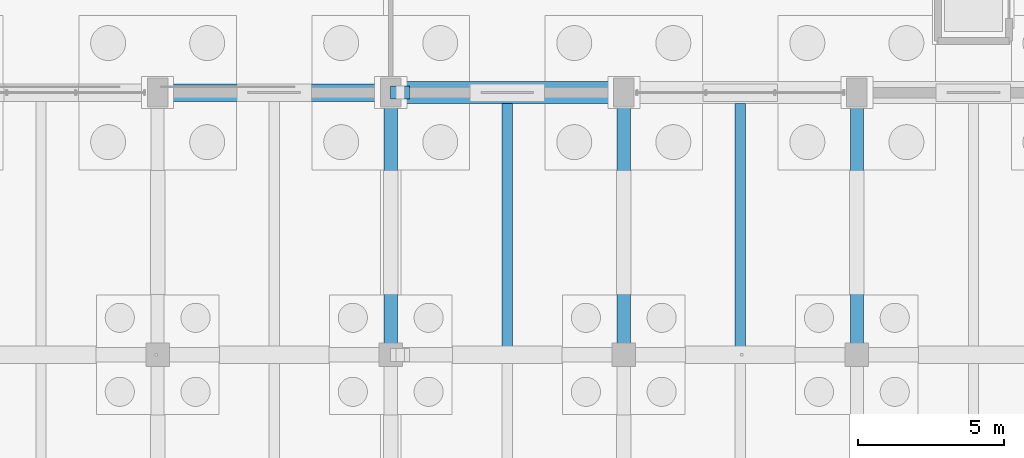
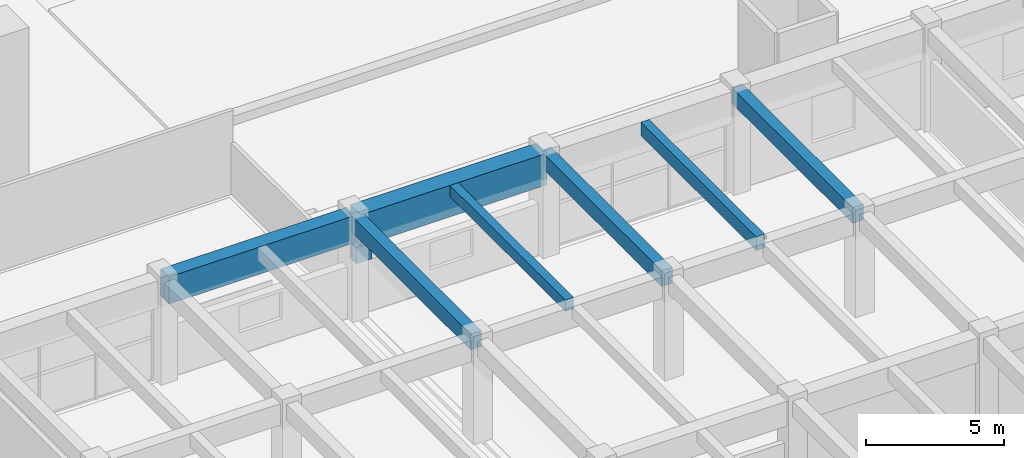
# One storey, part 39 of 147: 8 beams.
"""IFC4 building model written with IfcOpenShell, lengths in metres."""

import ifcopenshell
import ifcopenshell.guid

model = None  # the IFC model being written
_history = None  # IfcOwnerHistory: only IFC2X3 demands one
_inside = {}  # id of a spatial element -> (the spatial element, [elements in it])
_under = {}  # id of a project, library or spatial element -> (it, [spatial elements below it])
_declared = {}  # id of a project -> (the project, [libraries it declares])
_typed = {}  # id of a type object -> (the type object, [elements of that type])
_made_of = {}  # id of a material, layer set ... -> (it, [elements and type objects made of it])


def new_model(schema):
    """Start an empty IFC model of exactly this schema.

    Asked for "IFC4X3", IfcOpenShell would pick the latest addendum, in which some entities
    have other attributes; the version numbers below select the first issue.
    IFC2X3 requires an IfcOwnerHistory on every rooted entity: one is made here for all.
    """
    global model, _history
    if schema == "IFC4X3":
        model = ifcopenshell.file(schema_version=(4, 3, 0, 0))
    else:
        model = ifcopenshell.file(schema=schema)
    _inside.clear()
    _under.clear()
    _declared.clear()
    _typed.clear()
    _made_of.clear()
    _history = None
    if model.schema == "IFC2X3":
        org = make("IfcOrganization", Name="unknown")
        user = make(
            "IfcPersonAndOrganization",
            ThePerson=make("IfcPerson", FamilyName="unknown"),
            TheOrganization=org,
        )
        app = make(
            "IfcApplication",
            ApplicationDeveloper=org,
            Version="unknown",
            ApplicationFullName="unknown",
            ApplicationIdentifier="unknown",
        )
        _history = make(
            "IfcOwnerHistory",
            OwningUser=user,
            OwningApplication=app,
            ChangeAction="ADDED",
            CreationDate=0,
        )
    return model


def make(cls, **values):
    """One entity of the class cls with the attributes given. An attribute that is None is left unset."""
    return model.create_entity(
        cls, **{name: value for name, value in values.items() if value is not None}
    )


def rooted(cls, **values):
    """An entity with a GlobalId (a new one), such as an element, a storey or a relation."""
    return make(cls, GlobalId=ifcopenshell.guid.new(), OwnerHistory=_history, **values)


def si_unit(unit_type, name, prefix=None):
    """IfcSIUnit, for example si_unit("LENGTHUNIT", "METRE", prefix="MILLI")."""
    return make("IfcSIUnit", UnitType=unit_type, Prefix=prefix, Name=name)


def assignment(units):
    """IfcUnitAssignment: the units of a project."""
    return None if units is None else make("IfcUnitAssignment", Units=units)


def point(xyz):
    """IfcCartesianPoint."""
    return None if xyz is None else make("IfcCartesianPoint", Coordinates=xyz)


def direction(xyz):
    """IfcDirection."""
    return None if xyz is None else make("IfcDirection", DirectionRatios=xyz)


def frame(location, z_axis=None, x_axis=None):
    """IfcAxis2Placement3D, a coordinate frame: its origin and axes. An axis left out is left unset."""
    return make(
        "IfcAxis2Placement3D",
        Location=point(location),
        Axis=direction(z_axis),
        RefDirection=direction(x_axis),
    )


def frame_2d(location, x_axis=None):
    """IfcAxis2Placement2D, a coordinate frame in the plane: its origin and x axis."""
    return make(
        "IfcAxis2Placement2D", Location=point(location), RefDirection=direction(x_axis)
    )


def origin():
    """The frame at (0, 0, 0) with its axes left unset."""
    return frame((0.0, 0.0, 0.0))


def origin_2d():
    """The frame at (0, 0) in the plane with its x axis left unset."""
    return frame_2d((0.0, 0.0))


def place(relative_to, where):
    """IfcLocalPlacement: puts the frame where relative to a parent placement (None: the world)."""
    return make(
        "IfcLocalPlacement", PlacementRelTo=relative_to, RelativePlacement=where
    )


def context(
    kind, dimensions, precision=None, world=None, true_north=None, identifier=None
):
    """IfcGeometricRepresentationContext, for example the 3D "Model" context."""
    return make(
        "IfcGeometricRepresentationContext",
        ContextIdentifier=identifier,
        ContextType=kind,
        CoordinateSpaceDimension=dimensions,
        Precision=precision,
        WorldCoordinateSystem=world,
        TrueNorth=true_north,
    )


def subcontext(parent, identifier, kind, view, scale=None):
    """IfcGeometricRepresentationSubContext, for example "Body" below "Model"."""
    return make(
        "IfcGeometricRepresentationSubContext",
        ContextIdentifier=identifier,
        ContextType=kind,
        ParentContext=parent,
        TargetScale=scale,
        TargetView=view,
    )


def project(units=None, contexts=None):
    """IfcProject with its units and contexts."""
    return rooted(
        "IfcProject",
        Name="project",
        RepresentationContexts=contexts,
        UnitsInContext=assignment(units),
    )


def spatial(cls, under=None, at=None, **own):
    """A site, building, storey or space (cls), placed at a placement, below another one or the project."""
    s = rooted(cls, ObjectPlacement=at, **own)
    if under is not None:
        _under.setdefault(under.id(), (under, []))[1].append(s)
    return s


def profile(cls, at=None, kind="AREA", **sizes):
    """A parametric profile (cls). Its sizes go by their IFC names, for example OverallWidth=200.0."""
    return make(cls, ProfileType=kind, Position=at, **sizes)


def rectangle(**sizes):
    """IfcRectangleProfileDef."""
    return profile("IfcRectangleProfileDef", **sizes)


def extrude(swept, where, along, depth):
    """IfcExtrudedAreaSolid: the profile swept, set in the frame where, extruded along a direction by depth."""
    return make(
        "IfcExtrudedAreaSolid",
        SweptArea=swept,
        Position=where,
        ExtrudedDirection=direction(along),
        Depth=depth,
    )


def shape(context_of_items, identifier, shape_type, items):
    """IfcShapeRepresentation: the items that make up one representation, for example the "Body"."""
    return make(
        "IfcShapeRepresentation",
        ContextOfItems=context_of_items,
        RepresentationIdentifier=identifier,
        RepresentationType=shape_type,
        Items=items,
    )


def material(Name=None, Category=None):
    """IfcMaterial."""
    return make("IfcMaterial", Name=Name, Category=Category)


def material_profile(
    of_material, cross_section, Name=None, Category=None, Priority=None
):
    """IfcMaterialProfile: a cross section and its material."""
    return make(
        "IfcMaterialProfile",
        Name=Name,
        Material=of_material,
        Profile=cross_section,
        Priority=Priority,
        Category=Category,
    )


def profile_set(profiles, Name=None, composite=None):
    """IfcMaterialProfileSet."""
    return make(
        "IfcMaterialProfileSet",
        Name=Name,
        MaterialProfiles=profiles,
        CompositeProfile=composite,
    )


def made_of(thing, what):
    """Note that an element or type object is made of a material, layer set ...; save() writes the relation."""
    if what is not None:
        _made_of.setdefault(what.id(), (what, []))[1].append(thing)
    return thing


def type_object(cls, material=None, **own):
    """A type object (cls), such as IfcWallType, which elements share."""
    return made_of(rooted(cls, **own), material)


def element(
    cls,
    number,
    at=None,
    inside=None,
    cuts=None,
    type_object=None,
    material=None,
    context=None,
    identifier="Body",
    shape_type=None,
    held_by="IfcProductDefinitionShape",
    body=None,
    shapes=None,
    **own,
):
    """One element of the class cls, such as IfcWall. Its Tag is "e" and its number.

    at: its placement. inside: the storey or other place that contains it. cuts: it is an
    opening in that element (IfcRelVoidsElement). A single representation is given by context,
    identifier, shape_type and body (its items); several are given by shapes. held_by: the class
    of the entity that holds the representations. save() writes the other relations.
    """
    e = rooted(cls, Tag="e%d" % number, ObjectPlacement=at, **own)
    if body is not None:
        shapes = [shape(context, identifier, shape_type, body)]
    if shapes is not None:
        e.Representation = make(held_by, Representations=shapes)
    if inside is not None:
        _inside.setdefault(inside.id(), (inside, []))[1].append(e)
    if cuts is not None:
        rooted(
            "IfcRelVoidsElement", RelatingBuildingElement=cuts, RelatedOpeningElement=e
        )
    if type_object is not None:
        _typed.setdefault(type_object.id(), (type_object, []))[1].append(e)
    return made_of(e, material)


def aggregate(whole, parts):
    """IfcRelAggregates: a whole, such as a stair, and the parts it consists of."""
    return rooted("IfcRelAggregates", RelatingObject=whole, RelatedObjects=parts)


def save(model, path):
    """Write the relations noted so far, then the file.

    IfcRelAggregates (storeys below a building ...), IfcRelContainedInSpatialStructure (elements
    in a storey), IfcRelDefinesByType, IfcRelAssociatesMaterial and IfcRelDeclares: one each for
    every whole, place, type object, material and project.
    """
    for whole, parts in _under.values():
        aggregate(whole, parts)
    for where, things in _inside.values():
        rooted(
            "IfcRelContainedInSpatialStructure",
            RelatedElements=things,
            RelatingStructure=where,
        )
    for kind, things in _typed.values():
        rooted("IfcRelDefinesByType", RelatedObjects=things, RelatingType=kind)
    for what, things in _made_of.values():
        rooted("IfcRelAssociatesMaterial", RelatedObjects=things, RelatingMaterial=what)
    for by, libraries in _declared.values():
        rooted("IfcRelDeclares", RelatingContext=by, RelatedDefinitions=libraries)
    model.write(path)


model = new_model("IFC4")

# Units and contexts
model_context = context("Model", 3, precision=1e-05, world=origin(), true_north=direction((0.0, 1.0)))
body_context = subcontext(model_context, "Body", "Model", "MODEL_VIEW")
ifc_project = project(units=[si_unit("LENGTHUNIT", "METRE"), si_unit("AREAUNIT", "SQUARE_METRE"), si_unit("VOLUMEUNIT", "CUBIC_METRE"), si_unit("PLANEANGLEUNIT", "RADIAN"), si_unit("MASSUNIT", "GRAM", prefix="KILO")], contexts=[model_context])

# Site, building, storey
site_placement = place(None, origin())
site = spatial("IfcSite", under=ifc_project, at=site_placement, CompositionType="ELEMENT")
building_placement = place(site_placement, origin())
building = spatial("IfcBuilding", under=site, at=building_placement, Name="Varnabhumi Central Station", CompositionType="ELEMENT")
storey_placement = place(building_placement, origin())
storey = spatial("IfcBuildingStorey", under=building, at=storey_placement, Name="L00", CompositionType="ELEMENT", Elevation=0.0)

# Beams
ifc_material_1 = material(Name="Concrete M50", Category="concrete")
ifc_material_profile_1 = material_profile(ifc_material_1, rectangle(XDim=0.60009765625, YDim=1.199951171875, at=origin_2d()), Name="Concrete M50", Category="concrete")
ifc_profile_set_1 = profile_set([ifc_material_profile_1], Name="Concrete M50")
beam_type_1 = type_object("IfcBeamType", Name="BM-RC-1200x600", PredefinedType="BEAM", material=ifc_profile_set_1)
beam_1_placement = place(storey_placement, frame((56.10009765625, 36.0, 3.949951171875), z_axis=(1.0, 0.0, 0.0), x_axis=(0.0, 1.0, 0.0)))
element("IfcBeam", 1, at=beam_1_placement, inside=storey, type_object=beam_type_1, Name="Beam L00-E:8-9", PredefinedType="BEAM", context=body_context, shape_type="SweptSolid", body=[
    extrude(rectangle(XDim=0.60009765625, YDim=1.199951171875, at=origin_2d()), origin(), (0.0, 0.0, 1.0), 7.7998046875),
])
ifc_material_profile_2 = material_profile(ifc_material_1, rectangle(XDim=0.75, YDim=1.39990234375, at=origin_2d()), Name="Concrete M50", Category="concrete")
ifc_profile_set_2 = profile_set([ifc_material_profile_2], Name="Concrete M50")
beam_type_2 = type_object("IfcBeamType", Name="BM-RC-1400x750", PredefinedType="BEAM", material=ifc_profile_set_2)
beam_2_placement = place(storey_placement, frame((64.10009765625, 36.0, 3.85009765625), z_axis=(1.0, 0.0, 0.0), x_axis=(0.0, 1.0, 0.0)))
element("IfcBeam", 2, at=beam_2_placement, inside=storey, type_object=beam_type_2, Name="Beam L00-E:9-10", PredefinedType="BEAM", context=body_context, shape_type="SweptSolid", body=[
    extrude(rectangle(XDim=0.75, YDim=1.39990234375, at=origin_2d()), origin(), (0.0, 0.0, 1.0), 7.7998046875),
])
ifc_material_2 = material(Name="Concrete M40", Category="concrete")
ifc_material_profile_3 = material_profile(ifc_material_2, rectangle(XDim=0.35009765625, YDim=0.5, at=origin_2d()), Name="Concrete M40", Category="concrete")
ifc_profile_set_3 = profile_set([ifc_material_profile_3], Name="Concrete M40")
beam_type_3 = type_object("IfcBeamType", Name="BM-RC-350x500", PredefinedType="JOIST", material=ifc_profile_set_3)
beam_3_placement = place(storey_placement, frame((68.0, 27.25, 4.300048828125), z_axis=(0.0, 1.0, 0.0), x_axis=(-1.0, 0.0, 0.0)))
element("IfcBeam", 3, at=beam_3_placement, inside=storey, type_object=beam_type_3, Name="Secondary Joist L00-9/10:D-E", PredefinedType="JOIST", context=body_context, shape_type="SweptSolid", body=[
    extrude(rectangle(XDim=0.35009765625, YDim=0.5, at=origin_2d()), origin(), (0.0, 0.0, 1.0), 8.375),
])
ifc_material_profile_4 = material_profile(ifc_material_2, rectangle(XDim=0.449951171875, YDim=0.699951171875, at=origin_2d()), Name="Concrete M40", Category="concrete")
ifc_profile_set_4 = profile_set([ifc_material_profile_4], Name="Concrete M40")
beam_type_4 = type_object("IfcBeamType", Name="BM-RC-450x700", PredefinedType="BEAM", material=ifc_profile_set_4)
for number, where, z_axis, x_axis, name in (
    (4, (64.0, 27.10009765625, 4.199951171875), (0.0, 1.0, 0.0), (-1.0, 0.0, 0.0), "Beam L00-9:D-E"),
    (5, (72.0, 27.10009765625, 4.199951171875), (0.0, 1.0, 0.0), (-1.0, 0.0, 0.0), "Beam L00-10:D-E"),
    (6, (80.0, 27.10009765625, 4.199951171875), (0.0, 1.0, 0.0), (-1.0, 0.0, 0.0), "Beam L00-11:D-E"),
):
    element("IfcBeam", number, at=place(storey_placement, frame(where, z_axis=z_axis, x_axis=x_axis)), inside=storey, type_object=beam_type_4, Name=name, PredefinedType="BEAM", context=body_context, shape_type="SweptSolid", body=[
        extrude(rectangle(XDim=0.449951171875, YDim=0.699951171875, at=origin_2d()), origin(), (0.0, 0.0, 1.0), 8.7998046875),
    ])
ifc_material_profile_5 = material_profile(ifc_material_2, rectangle(XDim=0.449951171875, YDim=0.75, at=origin_2d()), Name="Concrete M40", Category="concrete")
ifc_profile_set_5 = profile_set([ifc_material_profile_5], Name="Concrete M40")
beam_type_5 = type_object("IfcBeamType", Name="BM-RC-450x750", PredefinedType="BEAM", material=ifc_profile_set_5)
beam_4_placement = place(storey_placement, frame((64.0, 36.0, 2.695068359375), z_axis=(1.0, 0.0, 0.0), x_axis=(0.0, 1.0, 0.0)))
element("IfcBeam", 7, at=beam_4_placement, inside=storey, type_object=beam_type_5, Name="Movement Joint 650mm Corbel Seat L00-E-9", PredefinedType="BEAM", context=body_context, shape_type="SweptSolid", body=[
    extrude(rectangle(XDim=0.449951171875, YDim=0.75, at=origin_2d()), origin(), (0.0, 0.0, 1.0), 0.64990234375),
])
ifc_material_profile_6 = material_profile(ifc_material_2, rectangle(XDim=0.35009765625, YDim=0.60009765625, at=origin_2d()), Name="Concrete M40", Category="concrete")
ifc_profile_set_6 = profile_set([ifc_material_profile_6], Name="Concrete M40")
beam_type_6 = type_object("IfcBeamType", Name="BM-RC-600x350", PredefinedType="JOIST", material=ifc_profile_set_6)
beam_5_placement = place(storey_placement, frame((76.0, 27.25, 4.25), z_axis=(0.0, 1.0, 0.0), x_axis=(-1.0, 0.0, 0.0)))
element("IfcBeam", 8, at=beam_5_placement, inside=storey, type_object=beam_type_6, Name="Secondary Joist L00-10/11:D-E", PredefinedType="JOIST", context=body_context, shape_type="SweptSolid", body=[
    extrude(rectangle(XDim=0.35009765625, YDim=0.60009765625, at=origin_2d()), origin(), (0.0, 0.0, 1.0), 8.375),
])

save(model, "model.ifc")
